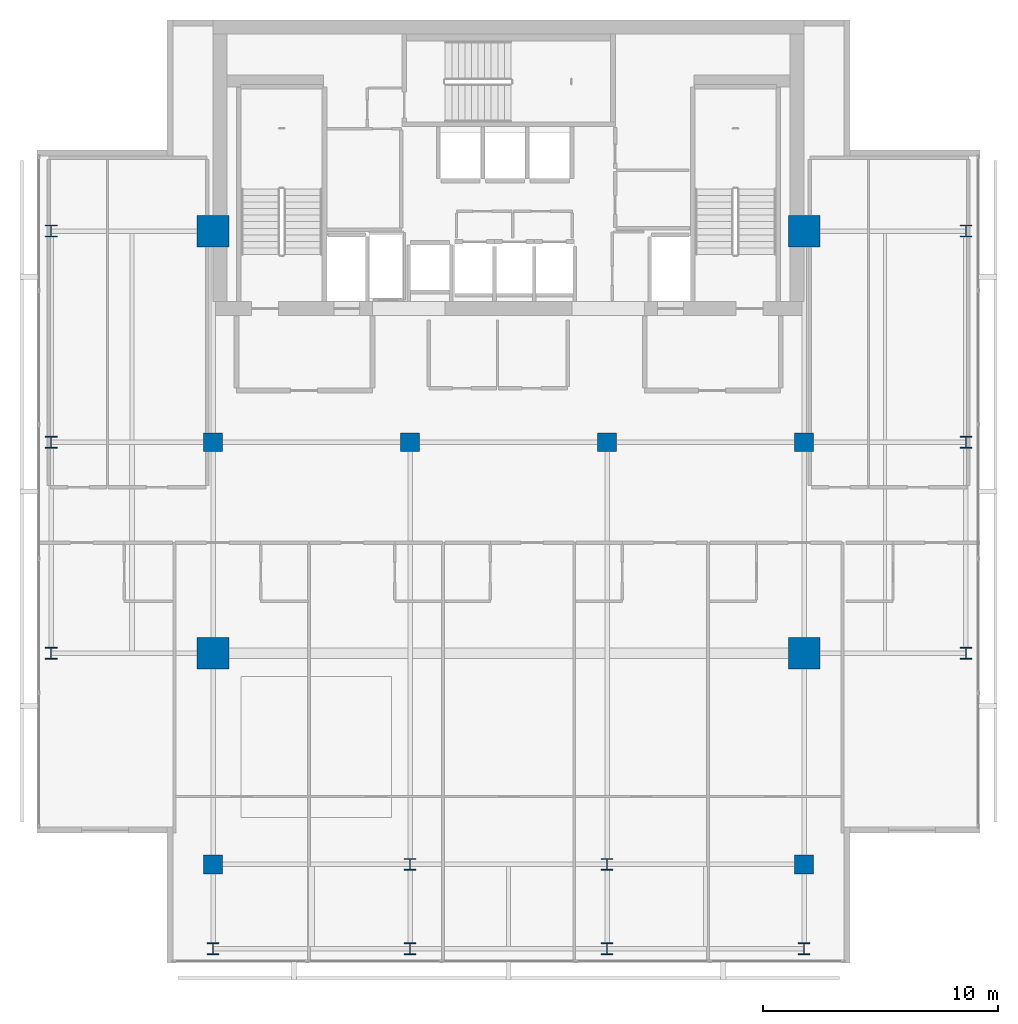
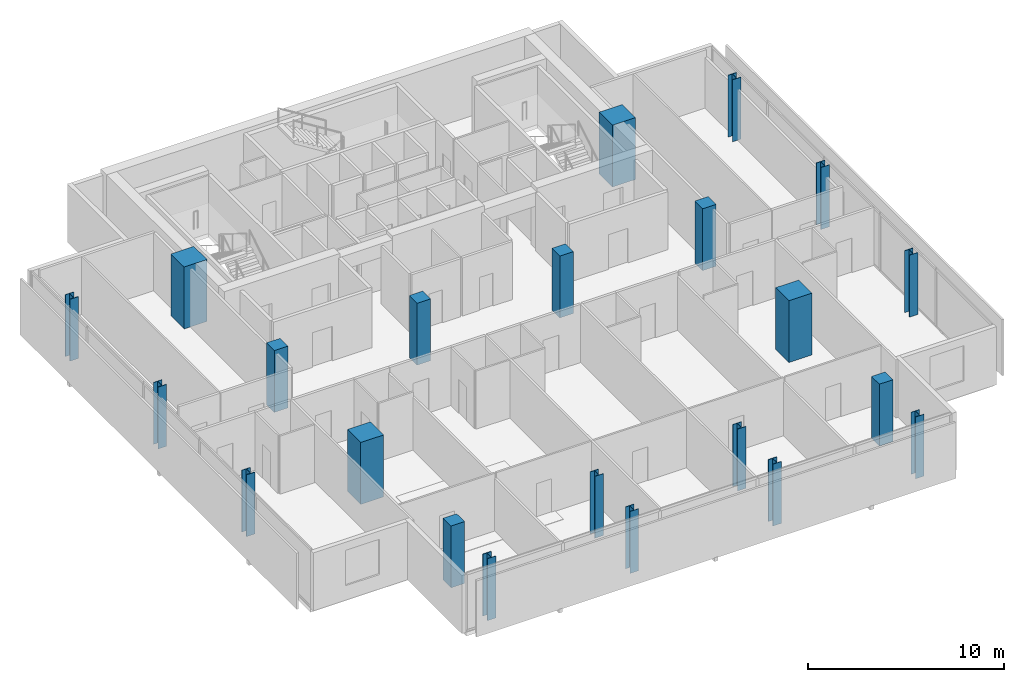
# One storey, part 1 of 24: 22 columns.
"""IFC4 building model written with IfcOpenShell, lengths in metres."""

import ifcopenshell
import ifcopenshell.guid

model = None  # the IFC model being written
_history = None  # IfcOwnerHistory: only IFC2X3 demands one
_inside = {}  # id of a spatial element -> (the spatial element, [elements in it])
_under = {}  # id of a project, library or spatial element -> (it, [spatial elements below it])
_declared = {}  # id of a project -> (the project, [libraries it declares])
_typed = {}  # id of a type object -> (the type object, [elements of that type])
_made_of = {}  # id of a material, layer set ... -> (it, [elements and type objects made of it])


def new_model(schema):
    """Start an empty IFC model of exactly this schema.

    Asked for "IFC4X3", IfcOpenShell would pick the latest addendum, in which some entities
    have other attributes; the version numbers below select the first issue.
    IFC2X3 requires an IfcOwnerHistory on every rooted entity: one is made here for all.
    """
    global model, _history
    if schema == "IFC4X3":
        model = ifcopenshell.file(schema_version=(4, 3, 0, 0))
    else:
        model = ifcopenshell.file(schema=schema)
    _inside.clear()
    _under.clear()
    _declared.clear()
    _typed.clear()
    _made_of.clear()
    _history = None
    if model.schema == "IFC2X3":
        org = make("IfcOrganization", Name="unknown")
        user = make(
            "IfcPersonAndOrganization",
            ThePerson=make("IfcPerson", FamilyName="unknown"),
            TheOrganization=org,
        )
        app = make(
            "IfcApplication",
            ApplicationDeveloper=org,
            Version="unknown",
            ApplicationFullName="unknown",
            ApplicationIdentifier="unknown",
        )
        _history = make(
            "IfcOwnerHistory",
            OwningUser=user,
            OwningApplication=app,
            ChangeAction="ADDED",
            CreationDate=0,
        )
    return model


def make(cls, **values):
    """One entity of the class cls with the attributes given. An attribute that is None is left unset."""
    return model.create_entity(
        cls, **{name: value for name, value in values.items() if value is not None}
    )


def rooted(cls, **values):
    """An entity with a GlobalId (a new one), such as an element, a storey or a relation."""
    return make(cls, GlobalId=ifcopenshell.guid.new(), OwnerHistory=_history, **values)


def si_unit(unit_type, name, prefix=None):
    """IfcSIUnit, for example si_unit("LENGTHUNIT", "METRE", prefix="MILLI")."""
    return make("IfcSIUnit", UnitType=unit_type, Prefix=prefix, Name=name)


def assignment(units):
    """IfcUnitAssignment: the units of a project."""
    return None if units is None else make("IfcUnitAssignment", Units=units)


def point(xyz):
    """IfcCartesianPoint."""
    return None if xyz is None else make("IfcCartesianPoint", Coordinates=xyz)


def direction(xyz):
    """IfcDirection."""
    return None if xyz is None else make("IfcDirection", DirectionRatios=xyz)


def frame(location, z_axis=None, x_axis=None):
    """IfcAxis2Placement3D, a coordinate frame: its origin and axes. An axis left out is left unset."""
    return make(
        "IfcAxis2Placement3D",
        Location=point(location),
        Axis=direction(z_axis),
        RefDirection=direction(x_axis),
    )


def frame_2d(location, x_axis=None):
    """IfcAxis2Placement2D, a coordinate frame in the plane: its origin and x axis."""
    return make(
        "IfcAxis2Placement2D", Location=point(location), RefDirection=direction(x_axis)
    )


def origin():
    """The frame at (0, 0, 0) with its axes left unset."""
    return frame((0.0, 0.0, 0.0))


def origin_2d():
    """The frame at (0, 0) in the plane with its x axis left unset."""
    return frame_2d((0.0, 0.0))


def place(relative_to, where):
    """IfcLocalPlacement: puts the frame where relative to a parent placement (None: the world)."""
    return make(
        "IfcLocalPlacement", PlacementRelTo=relative_to, RelativePlacement=where
    )


def context(
    kind, dimensions, precision=None, world=None, true_north=None, identifier=None
):
    """IfcGeometricRepresentationContext, for example the 3D "Model" context."""
    return make(
        "IfcGeometricRepresentationContext",
        ContextIdentifier=identifier,
        ContextType=kind,
        CoordinateSpaceDimension=dimensions,
        Precision=precision,
        WorldCoordinateSystem=world,
        TrueNorth=true_north,
    )


def subcontext(parent, identifier, kind, view, scale=None):
    """IfcGeometricRepresentationSubContext, for example "Body" below "Model"."""
    return make(
        "IfcGeometricRepresentationSubContext",
        ContextIdentifier=identifier,
        ContextType=kind,
        ParentContext=parent,
        TargetScale=scale,
        TargetView=view,
    )


def project(units=None, contexts=None):
    """IfcProject with its units and contexts."""
    return rooted(
        "IfcProject",
        Name="project",
        RepresentationContexts=contexts,
        UnitsInContext=assignment(units),
    )


def spatial(cls, under=None, at=None, **own):
    """A site, building, storey or space (cls), placed at a placement, below another one or the project."""
    s = rooted(cls, ObjectPlacement=at, **own)
    if under is not None:
        _under.setdefault(under.id(), (under, []))[1].append(s)
    return s


def profile(cls, at=None, kind="AREA", **sizes):
    """A parametric profile (cls). Its sizes go by their IFC names, for example OverallWidth=200.0."""
    return make(cls, ProfileType=kind, Position=at, **sizes)


def rectangle(**sizes):
    """IfcRectangleProfileDef."""
    return profile("IfcRectangleProfileDef", **sizes)


def i_section(**sizes):
    """IfcIShapeProfileDef."""
    return profile("IfcIShapeProfileDef", **sizes)


def extrude(swept, where, along, depth):
    """IfcExtrudedAreaSolid: the profile swept, set in the frame where, extruded along a direction by depth."""
    return make(
        "IfcExtrudedAreaSolid",
        SweptArea=swept,
        Position=where,
        ExtrudedDirection=direction(along),
        Depth=depth,
    )


def shape(context_of_items, identifier, shape_type, items):
    """IfcShapeRepresentation: the items that make up one representation, for example the "Body"."""
    return make(
        "IfcShapeRepresentation",
        ContextOfItems=context_of_items,
        RepresentationIdentifier=identifier,
        RepresentationType=shape_type,
        Items=items,
    )


def material(Name=None, Category=None):
    """IfcMaterial."""
    return make("IfcMaterial", Name=Name, Category=Category)


def material_profile(
    of_material, cross_section, Name=None, Category=None, Priority=None
):
    """IfcMaterialProfile: a cross section and its material."""
    return make(
        "IfcMaterialProfile",
        Name=Name,
        Material=of_material,
        Profile=cross_section,
        Priority=Priority,
        Category=Category,
    )


def profile_set(profiles, Name=None, composite=None):
    """IfcMaterialProfileSet."""
    return make(
        "IfcMaterialProfileSet",
        Name=Name,
        MaterialProfiles=profiles,
        CompositeProfile=composite,
    )


def made_of(thing, what):
    """Note that an element or type object is made of a material, layer set ...; save() writes the relation."""
    if what is not None:
        _made_of.setdefault(what.id(), (what, []))[1].append(thing)
    return thing


def type_object(cls, material=None, **own):
    """A type object (cls), such as IfcWallType, which elements share."""
    return made_of(rooted(cls, **own), material)


def element(
    cls,
    number,
    at=None,
    inside=None,
    cuts=None,
    type_object=None,
    material=None,
    context=None,
    identifier="Body",
    shape_type=None,
    held_by="IfcProductDefinitionShape",
    body=None,
    shapes=None,
    **own,
):
    """One element of the class cls, such as IfcWall. Its Tag is "e" and its number.

    at: its placement. inside: the storey or other place that contains it. cuts: it is an
    opening in that element (IfcRelVoidsElement). A single representation is given by context,
    identifier, shape_type and body (its items); several are given by shapes. held_by: the class
    of the entity that holds the representations. save() writes the other relations.
    """
    e = rooted(cls, Tag="e%d" % number, ObjectPlacement=at, **own)
    if body is not None:
        shapes = [shape(context, identifier, shape_type, body)]
    if shapes is not None:
        e.Representation = make(held_by, Representations=shapes)
    if inside is not None:
        _inside.setdefault(inside.id(), (inside, []))[1].append(e)
    if cuts is not None:
        rooted(
            "IfcRelVoidsElement", RelatingBuildingElement=cuts, RelatedOpeningElement=e
        )
    if type_object is not None:
        _typed.setdefault(type_object.id(), (type_object, []))[1].append(e)
    return made_of(e, material)


def aggregate(whole, parts):
    """IfcRelAggregates: a whole, such as a stair, and the parts it consists of."""
    return rooted("IfcRelAggregates", RelatingObject=whole, RelatedObjects=parts)


def save(model, path):
    """Write the relations noted so far, then the file.

    IfcRelAggregates (storeys below a building ...), IfcRelContainedInSpatialStructure (elements
    in a storey), IfcRelDefinesByType, IfcRelAssociatesMaterial and IfcRelDeclares: one each for
    every whole, place, type object, material and project.
    """
    for whole, parts in _under.values():
        aggregate(whole, parts)
    for where, things in _inside.values():
        rooted(
            "IfcRelContainedInSpatialStructure",
            RelatedElements=things,
            RelatingStructure=where,
        )
    for kind, things in _typed.values():
        rooted("IfcRelDefinesByType", RelatedObjects=things, RelatingType=kind)
    for what, things in _made_of.values():
        rooted("IfcRelAssociatesMaterial", RelatedObjects=things, RelatingMaterial=what)
    for by, libraries in _declared.values():
        rooted("IfcRelDeclares", RelatingContext=by, RelatedDefinitions=libraries)
    model.write(path)


model = new_model("IFC4")

# Units and contexts
model_context = context("Model", 3, precision=1e-05, world=origin(), true_north=direction((0.0, 1.0)))
body_context = subcontext(model_context, "Body", "Model", "MODEL_VIEW")
ifc_project = project(units=[si_unit("LENGTHUNIT", "METRE"), si_unit("AREAUNIT", "SQUARE_METRE"), si_unit("VOLUMEUNIT", "CUBIC_METRE"), si_unit("PLANEANGLEUNIT", "RADIAN"), si_unit("MASSUNIT", "GRAM", prefix="KILO")], contexts=[model_context])

# Site, building, storey
site_placement = place(None, origin())
site = spatial("IfcSite", under=ifc_project, at=site_placement, CompositionType="ELEMENT")
building_placement = place(site_placement, origin())
building = spatial("IfcBuilding", under=site, at=building_placement, Name="Maruvema Waterfront Hotel and Observation Tower", CompositionType="ELEMENT")
storey_placement = place(building_placement, frame((0.0, 0.0, 325.85009765625)))
storey = spatial("IfcBuildingStorey", under=building, at=storey_placement, Name="L80", CompositionType="ELEMENT", Elevation=325.85009765625)

# Columns
ifc_material_1 = material(Name="Concrete C70/85", Category="concrete")
ifc_material_profile_1 = material_profile(ifc_material_1, rectangle(XDim=1.35009765625, YDim=1.35009765625, at=origin_2d()), Name="MC1350x1350")
ifc_profile_set_1 = profile_set([ifc_material_profile_1], Name="Concrete C70/85")
column_type_1 = type_object("IfcColumnType", Name="Continuous Mega-Column MC1350x1350", PredefinedType="COLUMN", material=ifc_profile_set_1)
for number, where, z_axis, x_axis, name in (
    (1, (25.199951171875, 27.0, 0.0), (0.0, 0.0, 1.0), (1.0, 0.0, 0.0), "L80 Continuous Mega-Column MC-01"),
    (2, (50.39990234375, 27.0, 0.0), (0.0, 0.0, 1.0), (1.0, 0.0, 0.0), "L80 Continuous Mega-Column MC-02"),
    (3, (25.199951171875, 45.0, 0.0), (0.0, 0.0, 1.0), (1.0, 0.0, 0.0), "L80 Continuous Mega-Column MC-03"),
    (4, (50.39990234375, 45.0, 0.0), (0.0, 0.0, 1.0), (1.0, 0.0, 0.0), "L80 Continuous Mega-Column MC-04"),
):
    element("IfcColumn", number, at=place(storey_placement, frame(where, z_axis=z_axis, x_axis=x_axis)), inside=storey, type_object=column_type_1, Name=name, PredefinedType="COLUMN", context=body_context, shape_type="SweptSolid", body=[
        extrude(rectangle(XDim=1.35009765625, YDim=1.35009765625, at=origin_2d()), origin(), (0.0, 0.0, 1.0), 3.849853515625),
    ])
ifc_material_2 = material(Name="Concrete C60/75", Category="concrete")
ifc_material_profile_2 = material_profile(ifc_material_2, rectangle(XDim=0.800048828125, YDim=0.800048828125, at=origin_2d()), Name="RC800x800")
ifc_profile_set_2 = profile_set([ifc_material_profile_2], Name="Concrete C60/75")
column_type_2 = type_object("IfcColumnType", Name="Reinforced Concrete Column RC800x800", PredefinedType="COLUMN", material=ifc_profile_set_2)
for number, where, z_axis, x_axis, name in (
    (5, (25.199951171875, 36.0, 0.0), (0.0, 0.0, 1.0), (1.0, 0.0, 0.0), "L80 Column C-4E"),
    (6, (33.60009765625, 36.0, 0.0), (0.0, 0.0, 1.0), (1.0, 0.0, 0.0), "L80 Column C-5E"),
    (7, (42.0, 36.0, 0.0), (0.0, 0.0, 1.0), (1.0, 0.0, 0.0), "L80 Column C-6E"),
    (8, (50.39990234375, 36.0, 0.0), (0.0, 0.0, 1.0), (1.0, 0.0, 0.0), "L80 Column C-7E"),
    (9, (25.199951171875, 18.0, 0.0), (0.0, 0.0, 1.0), (1.0, 0.0, 0.0), "L80 Column C-4C"),
    (10, (50.39990234375, 18.0, 0.0), (0.0, 0.0, 1.0), (1.0, 0.0, 0.0), "L80 Column C-7C"),
):
    element("IfcColumn", number, at=place(storey_placement, frame(where, z_axis=z_axis, x_axis=x_axis)), inside=storey, type_object=column_type_2, Name=name, PredefinedType="COLUMN", context=body_context, shape_type="SweptSolid", body=[
        extrude(rectangle(XDim=0.800048828125, YDim=0.800048828125, at=origin_2d()), origin(), (0.0, 0.0, 1.0), 3.849853515625),
    ])
ifc_material_3 = material(Name="Steel ABNT NBR 7007 AR 415 (ASTM A572 Grade 50)", Category="steel")
ifc_material_profile_3 = material_profile(ifc_material_3, i_section(OverallWidth=0.5, OverallDepth=0.5, WebThickness=0.02197265625, FlangeThickness=0.031982421875, at=origin_2d()), Name="CVS500x223")
ifc_profile_set_3 = profile_set([ifc_material_profile_3], Name="Steel ABNT NBR 7007 AR 415 (ASTM A572 Grade 50)")
column_type_3 = type_object("IfcColumnType", Name="Structural Steel Column CVS500x223", PredefinedType="COLUMN", material=ifc_profile_set_3)
for number, where, z_axis, x_axis, name in (
    (11, (33.60009765625, 18.0, 0.0), (0.0, 0.0, 1.0), (1.0, 0.0, 0.0), "L80 Column C-5C"),
    (12, (42.0, 18.0, 0.0), (0.0, 0.0, 1.0), (1.0, 0.0, 0.0), "L80 Column C-6C"),
    (13, (18.300048828125, 27.0, 0.0), (0.0, 0.0, 1.0), (1.0, 0.0, 0.0), "L80 Column C-Z4W27"),
    (14, (57.300048828125, 27.0, 0.0), (0.0, 0.0, 1.0), (1.0, 0.0, 0.0), "L80 Column C-Z4E27"),
    (15, (18.300048828125, 36.0, 0.0), (0.0, 0.0, 1.0), (1.0, 0.0, 0.0), "L80 Column C-Z4W36"),
    (16, (57.300048828125, 36.0, 0.0), (0.0, 0.0, 1.0), (1.0, 0.0, 0.0), "L80 Column C-Z4E36"),
    (17, (18.300048828125, 45.0, 0.0), (0.0, 0.0, 1.0), (1.0, 0.0, 0.0), "L80 Column C-Z4W45"),
    (18, (57.300048828125, 45.0, 0.0), (0.0, 0.0, 1.0), (1.0, 0.0, 0.0), "L80 Column C-Z4E45"),
    (19, (25.199951171875, 14.39990234375, 0.0), (0.0, 0.0, 1.0), (1.0, 0.0, 0.0), "L80 Column C-Z4S4"),
    (20, (33.60009765625, 14.39990234375, 0.0), (0.0, 0.0, 1.0), (1.0, 0.0, 0.0), "L80 Column C-Z4S5"),
    (21, (42.0, 14.39990234375, 0.0), (0.0, 0.0, 1.0), (1.0, 0.0, 0.0), "L80 Column C-Z4S6"),
    (22, (50.39990234375, 14.39990234375, 0.0), (0.0, 0.0, 1.0), (1.0, 0.0, 0.0), "L80 Column C-Z4S7"),
):
    element("IfcColumn", number, at=place(storey_placement, frame(where, z_axis=z_axis, x_axis=x_axis)), inside=storey, type_object=column_type_3, Name=name, PredefinedType="COLUMN", context=body_context, shape_type="SweptSolid", body=[
        extrude(i_section(OverallWidth=0.5, OverallDepth=0.5, WebThickness=0.02197265625, FlangeThickness=0.031982421875, at=origin_2d()), origin(), (0.0, 0.0, 1.0), 3.849853515625),
    ])

save(model, "model.ifc")
